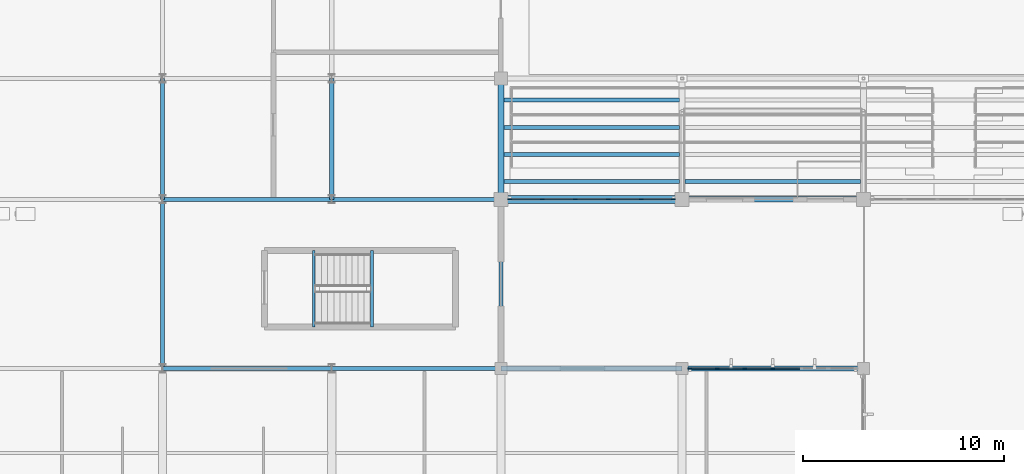
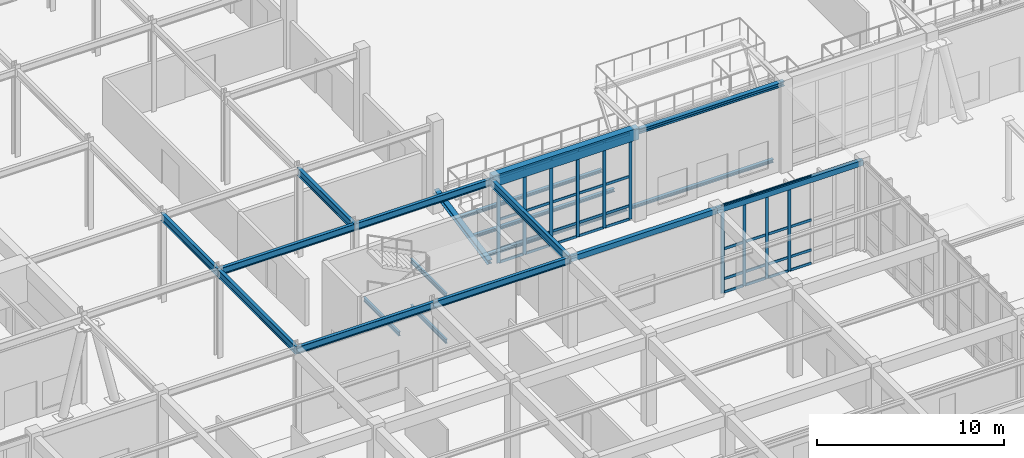
# One storey, part 34 of 110: 46 members, 21 beams, 2 elements without a shape of their own.
"""IFC4 building model written with IfcOpenShell, lengths in metres."""

from ifc_helpers import new_model, si_unit, direction, frame, origin, origin_2d, place, context, subcontext, project, spatial, rectangle, hollow_rectangle, i_section, extrude, material, material_profile, profile_set, type_object, element, aggregate, save


model = new_model("IFC4")

# Units and contexts
model_context = context("Model", 3, precision=1e-05, world=origin(), true_north=direction((0.0, 1.0)))
body_context = subcontext(model_context, "Body", "Model", "MODEL_VIEW")
ifc_project = project(units=[si_unit("LENGTHUNIT", "METRE"), si_unit("AREAUNIT", "SQUARE_METRE"), si_unit("VOLUMEUNIT", "CUBIC_METRE"), si_unit("PLANEANGLEUNIT", "RADIAN"), si_unit("MASSUNIT", "GRAM", prefix="KILO")], contexts=[model_context])

# Site, building, storey
site_placement = place(None, origin())
site = spatial("IfcSite", under=ifc_project, at=site_placement, CompositionType="ELEMENT")
building_placement = place(site_placement, origin())
building = spatial("IfcBuilding", under=site, at=building_placement, Name="Tizgana Railside Sports Hall", CompositionType="ELEMENT")
storey_placement = place(building_placement, origin())
storey = spatial("IfcBuildingStorey", under=building, at=storey_placement, Name="L00", CompositionType="ELEMENT", Elevation=0.0)

# Beam
ifc_material_1 = material(Name="Concrete C35/45", Category="concrete")
ifc_material_profile_1 = material_profile(ifc_material_1, rectangle(XDim=0.39990234375, YDim=0.75, at=origin_2d()), Name="RCB 400x750")
ifc_profile_set_1 = profile_set([ifc_material_profile_1], Name="Concrete C35/45")
beam_type_1 = type_object("IfcBeamType", Name="Concrete Beam RCB 400x750", PredefinedType="BEAM", material=ifc_profile_set_1)
beam_1_placement = place(storey_placement, frame((79.800048828125, 40.800048828125, 5.580078125), z_axis=(1.0, 0.0, 0.0), x_axis=(0.0, 1.0, 0.0)))
element("IfcBeam", 1, at=beam_1_placement, inside=storey, type_object=beam_type_1, Name="L00 V2 Mid-Height Spandrel", PredefinedType="BEAM", context=body_context, shape_type="SweptSolid", body=[
    extrude(rectangle(XDim=0.39990234375, YDim=0.75, at=origin_2d()), origin(), (0.0, 0.0, 1.0), 9.0),
])

# Curtain wall, members
ifc_material_2 = material(Name="Anodised aluminium and glass", Category="aluminium")
curtain_wall_type_1 = type_object("IfcCurtainWallType", Name="Unitised Curtain Wall EastHall 1500", PredefinedType="NOTDEFINED", material=ifc_material_2)
curtain_wall_1_placement = place(storey_placement, origin())
curtain_wall_1 = element("IfcCurtainWall", 2, at=curtain_wall_1_placement, inside=storey, type_object=curtain_wall_type_1, Name="L00 Curtain Wall CW-0015", PredefinedType="NOTDEFINED")
ifc_material_3 = material(Name="Anodised aluminium", Category="aluminium")
ifc_material_profile_2 = material_profile(ifc_material_3, rectangle(XDim=0.06494140625, YDim=0.199951171875, at=origin_2d()), Name="Mullion 65x200")
ifc_profile_set_2 = profile_set([ifc_material_profile_2], Name="Anodised aluminium")
member_type_1 = type_object("IfcMemberType", Name="Mullion 65x200", PredefinedType="MULLION", material=ifc_profile_set_2)
member_1_placement = place(storey_placement, frame((88.362548828125, 40.800048828125, 0.044921875), z_axis=(0.0, 0.0, 1.0), x_axis=(0.0, -1.0, 0.0)))
member_1 = element("IfcMember", 3, at=member_1_placement, type_object=member_type_1, Name="CW-08 mullion 1", PredefinedType="MULLION", context=body_context, shape_type="SweptSolid", body=[
    extrude(rectangle(XDim=0.06494140625, YDim=0.199951171875, at=origin_2d()), origin(), (0.0, 0.0, 1.0), 5.60498046875),
])
member_2_placement = place(storey_placement, frame((86.757080078125, 40.800048828125, 0.044921875), z_axis=(0.0, 0.0, 1.0), x_axis=(0.0, -1.0, 0.0)))
member_2 = element("IfcMember", 4, at=member_2_placement, type_object=member_type_1, Name="CW-08 mullion 2", PredefinedType="MULLION", context=body_context, shape_type="SweptSolid", body=[
    extrude(rectangle(XDim=0.06494140625, YDim=0.199951171875, at=origin_2d()), origin(), (0.0, 0.0, 1.0), 5.60498046875),
])
member_3_placement = place(storey_placement, frame((85.118896484375, 40.800048828125, 0.044921875), z_axis=(0.0, 0.0, 1.0), x_axis=(0.0, -1.0, 0.0)))
member_3 = element("IfcMember", 5, at=member_3_placement, type_object=member_type_1, Name="CW-08 mullion 3", PredefinedType="MULLION", context=body_context, shape_type="SweptSolid", body=[
    extrude(rectangle(XDim=0.06494140625, YDim=0.199951171875, at=origin_2d()), origin(), (0.0, 0.0, 1.0), 5.60498046875),
])
member_4_placement = place(storey_placement, frame((83.48095703125, 40.800048828125, 0.044921875), z_axis=(0.0, 0.0, 1.0), x_axis=(0.0, -1.0, 0.0)))
member_4 = element("IfcMember", 6, at=member_4_placement, type_object=member_type_1, Name="CW-08 mullion 4", PredefinedType="MULLION", context=body_context, shape_type="SweptSolid", body=[
    extrude(rectangle(XDim=0.06494140625, YDim=0.199951171875, at=origin_2d()), origin(), (0.0, 0.0, 1.0), 5.60498046875),
])
member_5_placement = place(storey_placement, frame((81.843017578125, 40.800048828125, 0.044921875), z_axis=(0.0, 0.0, 1.0), x_axis=(0.0, -1.0, 0.0)))
member_5 = element("IfcMember", 7, at=member_5_placement, type_object=member_type_1, Name="CW-08 mullion 5", PredefinedType="MULLION", context=body_context, shape_type="SweptSolid", body=[
    extrude(rectangle(XDim=0.06494140625, YDim=0.199951171875, at=origin_2d()), origin(), (0.0, 0.0, 1.0), 5.60498046875),
])
member_6_placement = place(storey_placement, frame((80.237548828125, 40.800048828125, 0.044921875), z_axis=(0.0, 0.0, 1.0), x_axis=(0.0, -1.0, 0.0)))
member_6 = element("IfcMember", 8, at=member_6_placement, type_object=member_type_1, Name="CW-08 mullion 6", PredefinedType="MULLION", context=body_context, shape_type="SweptSolid", body=[
    extrude(rectangle(XDim=0.06494140625, YDim=0.199951171875, at=origin_2d()), origin(), (0.0, 0.0, 1.0), 5.60498046875),
])

curtain_wall_type_2 = type_object("IfcCurtainWallType", Name="Unitised Curtain Wall Foyer 1300", PredefinedType="NOTDEFINED", material=ifc_material_2)
curtain_wall_2_placement = place(storey_placement, origin())
curtain_wall_2 = element("IfcCurtainWall", 9, at=curtain_wall_2_placement, inside=storey, type_object=curtain_wall_type_2, Name="L00 Curtain Wall CW-0081", PredefinedType="NOTDEFINED")
member_7_placement = place(storey_placement, frame((89.1875, 32.39990234375, 0.044921875), z_axis=(0.0, 0.0, 1.0), x_axis=(0.0, 1.0, 0.0)))
member_7 = element("IfcMember", 10, at=member_7_placement, type_object=member_type_1, Name="CW-02 mullion 1", PredefinedType="MULLION", context=body_context, shape_type="SweptSolid", body=[
    extrude(rectangle(XDim=0.06494140625, YDim=0.199951171875, at=origin_2d()), origin(), (0.0, 0.0, 1.0), 5.705078125),
])
member_8_placement = place(storey_placement, frame((90.53662109375, 32.39990234375, 0.044921875), z_axis=(0.0, 0.0, 1.0), x_axis=(0.0, 1.0, 0.0)))
member_8 = element("IfcMember", 11, at=member_8_placement, type_object=member_type_1, Name="CW-02 mullion 2", PredefinedType="MULLION", context=body_context, shape_type="SweptSolid", body=[
    extrude(rectangle(XDim=0.06494140625, YDim=0.199951171875, at=origin_2d()), origin(), (0.0, 0.0, 1.0), 5.705078125),
])
member_9_placement = place(storey_placement, frame((91.918212890625, 32.39990234375, 0.044921875), z_axis=(0.0, 0.0, 1.0), x_axis=(0.0, 1.0, 0.0)))
member_9 = element("IfcMember", 12, at=member_9_placement, type_object=member_type_1, Name="CW-02 mullion 3", PredefinedType="MULLION", context=body_context, shape_type="SweptSolid", body=[
    extrude(rectangle(XDim=0.06494140625, YDim=0.199951171875, at=origin_2d()), origin(), (0.0, 0.0, 1.0), 5.705078125),
])
member_10_placement = place(storey_placement, frame((93.300048828125, 32.39990234375, 0.044921875), z_axis=(0.0, 0.0, 1.0), x_axis=(0.0, 1.0, 0.0)))
member_10 = element("IfcMember", 13, at=member_10_placement, type_object=member_type_1, Name="CW-02 mullion 4", PredefinedType="MULLION", context=body_context, shape_type="SweptSolid", body=[
    extrude(rectangle(XDim=0.06494140625, YDim=0.199951171875, at=origin_2d()), origin(), (0.0, 0.0, 1.0), 5.705078125),
])

# Beams
ifc_material_4 = material(Name="Steel S355J2", Category="steel")
ifc_material_profile_3 = material_profile(ifc_material_4, i_section(OverallWidth=0.1298828125, OverallDepth=0.27001953125, WebThickness=0.006591796875, FlangeThickness=0.01025390625, FilletRadius=0.014892578125, at=origin_2d()), Name="IPE 270")
ifc_profile_set_3 = profile_set([ifc_material_profile_3], Name="Steel S355J2")
beam_type_2 = type_object("IfcBeamType", Name="Stair Mid-Landing Header IPE 270", PredefinedType="JOIST", material=ifc_profile_set_3)
for number, where, z_axis, x_axis, name in (
    (14, (73.39990234375, 34.449951171875, 1.1630859375), (0.0, 1.0, 0.0), (-1.0, 0.0, 0.0), "L00 C10 Mid Header 1"),
    (15, (70.5, 34.449951171875, 2.6630859375), (0.0, 1.0, 0.0), (-1.0, 0.0, 0.0), "L00 C10 Mid Header 2"),
    (16, (73.39990234375, 34.449951171875, 4.1630859375), (0.0, 1.0, 0.0), (-1.0, 0.0, 0.0), "L00 C10 Mid Header 3"),
):
    element("IfcBeam", number, at=place(storey_placement, frame(where, z_axis=z_axis, x_axis=x_axis)), inside=storey, type_object=beam_type_2, Name=name, PredefinedType="JOIST", context=body_context, shape_type="SweptSolid", body=[
        extrude(i_section(OverallWidth=0.1298828125, OverallDepth=0.27001953125, WebThickness=0.006591796875, FlangeThickness=0.01025390625, FilletRadius=0.014892578125, at=origin_2d()), origin(), (0.0, 0.0, 1.0), 3.800048828125),
    ])
ifc_material_profile_4 = material_profile(ifc_material_4, i_section(OverallWidth=0.199951171875, OverallDepth=0.199951171875, WebThickness=0.009033203125, FlangeThickness=0.014892578125, FilletRadius=0.01806640625, at=origin_2d()), Name="HEB 200")
ifc_profile_set_4 = profile_set([ifc_material_profile_4], Name="Steel S355J2")
beam_type_3 = type_object("IfcBeamType", Name="Steel Beam HEB 200", PredefinedType="BEAM", material=ifc_profile_set_4)
for number, where, z_axis, x_axis, name in (
    (17, (79.945068359375, 41.675048828125, 0.10498046875), (1.0, 0.0, 0.0), (0.0, 1.0, 0.0), "L00 Stand Stringer BEM-0045"),
    (18, (88.945068359375, 41.675048828125, 0.10498046875), (1.0, 0.0, 0.0), (0.0, 1.0, 0.0), "L00 Stand Stringer BEM-0046"),
    (19, (79.945068359375, 43.02490234375, 0.52490234375), (1.0, 0.0, 0.0), (0.0, 1.0, 0.0), "L00 Stand Stringer BEM-0050"),
    (20, (79.945068359375, 44.375, 0.965087890625), (1.0, 0.0, 0.0), (0.0, 1.0, 0.0), "L00 Stand Stringer BEM-0055"),
    (21, (79.945068359375, 45.72509765625, 1.385009765625), (1.0, 0.0, 0.0), (0.0, 1.0, 0.0), "L00 Stand Stringer BEM-0060"),
):
    element("IfcBeam", number, at=place(storey_placement, frame(where, z_axis=z_axis, x_axis=x_axis)), inside=storey, type_object=beam_type_3, Name=name, PredefinedType="BEAM", context=body_context, shape_type="SweptSolid", body=[
        extrude(i_section(OverallWidth=0.199951171875, OverallDepth=0.199951171875, WebThickness=0.009033203125, FlangeThickness=0.014892578125, FilletRadius=0.01806640625, at=origin_2d()), origin(), (0.0, 0.0, 1.0), 8.7099609375),
    ])
ifc_material_profile_5 = material_profile(ifc_material_4, i_section(OverallWidth=0.280029296875, OverallDepth=0.280029296875, WebThickness=0.010498046875, FlangeThickness=0.01806640625, FilletRadius=0.02392578125, at=origin_2d()), Name="HEB 280")
ifc_profile_set_5 = profile_set([ifc_material_profile_5], Name="Steel S355J2")
beam_type_4 = type_object("IfcBeamType", Name="Steel Beam HEB 280", PredefinedType="BEAM", material=ifc_profile_set_5)
beam_2_placement = place(storey_placement, frame((88.800048828125, 40.800048828125, 5.6298828125), z_axis=(1.0, 0.0, 0.0), x_axis=(0.0, 1.0, 0.0)))
element("IfcBeam", 22, at=beam_2_placement, inside=storey, type_object=beam_type_4, Name="L00 BEM-1261", PredefinedType="BEAM", context=body_context, shape_type="SweptSolid", body=[
    extrude(i_section(OverallWidth=0.280029296875, OverallDepth=0.280029296875, WebThickness=0.010498046875, FlangeThickness=0.01806640625, FilletRadius=0.02392578125, at=origin_2d()), origin(), (0.0, 0.0, 1.0), 9.0),
])
ifc_material_profile_6 = material_profile(ifc_material_4, i_section(OverallWidth=0.300048828125, OverallDepth=0.300048828125, WebThickness=0.010986328125, FlangeThickness=0.01904296875, FilletRadius=0.027099609375, at=origin_2d()), Name="HEB 300")
ifc_profile_set_6 = profile_set([ifc_material_profile_6], Name="Steel S355J2")
beam_type_5 = type_object("IfcBeamType", Name="Steel Beam HEB 300", PredefinedType="BEAM", material=ifc_profile_set_6)
beam_3_placement = place(storey_placement, frame((79.800048828125, 40.949951171875, 0.14990234375), z_axis=(0.0, 0.979812896837, 0.199916700632), x_axis=(-1.0, 0.0, 0.0)))
element("IfcBeam", 23, at=beam_3_placement, inside=storey, type_object=beam_type_5, Name="L00 Stand Main Raker BEM-0039", PredefinedType="BEAM", context=body_context, shape_type="SweptSolid", body=[
    extrude(i_section(OverallWidth=0.300048828125, OverallDepth=0.300048828125, WebThickness=0.010986328125, FlangeThickness=0.01904296875, FilletRadius=0.027099609375, at=origin_2d()), origin(), (0.0, 0.0, 1.0), 5.853271484375),
])
ifc_material_profile_7 = material_profile(ifc_material_4, i_section(OverallWidth=0.18994140625, OverallDepth=0.449951171875, WebThickness=0.009521484375, FlangeThickness=0.0146484375, FilletRadius=0.02099609375, at=origin_2d()), Name="IPE 450")
ifc_profile_set_7 = profile_set([ifc_material_profile_7], Name="Steel S355J2")
beam_type_6 = type_object("IfcBeamType", Name="Steel Beam IPE 450", PredefinedType="BEAM", material=ifc_profile_set_7)
for number, where, z_axis, x_axis, name in (
    (24, (63.0, 32.39990234375, 5.5009765625), (1.0, 0.0, 0.0), (0.0, 1.0, 0.0), "L00 BEM-0935"),
    (25, (63.0, 40.800048828125, 5.5009765625), (1.0, 0.0, 0.0), (0.0, 1.0, 0.0), "L00 BEM-0936"),
):
    element("IfcBeam", number, at=place(storey_placement, frame(where, z_axis=z_axis, x_axis=x_axis)), inside=storey, type_object=beam_type_6, Name=name, PredefinedType="BEAM", context=body_context, shape_type="SweptSolid", body=[
        extrude(i_section(OverallWidth=0.18994140625, OverallDepth=0.449951171875, WebThickness=0.009521484375, FlangeThickness=0.0146484375, FilletRadius=0.02099609375, at=origin_2d()), origin(), (0.0, 0.0, 1.0), 8.39990234375),
    ])
for number, where, z_axis, x_axis, name in (
    (26, (71.39990234375, 32.39990234375, 5.5009765625), (1.0, 0.0, 0.0), (0.0, 1.0, 0.0), "L00 BEM-0943"),
    (27, (71.39990234375, 40.800048828125, 5.5009765625), (1.0, 0.0, 0.0), (0.0, 1.0, 0.0), "L00 BEM-0944"),
):
    element("IfcBeam", number, at=place(storey_placement, frame(where, z_axis=z_axis, x_axis=x_axis)), inside=storey, type_object=beam_type_6, Name=name, PredefinedType="BEAM", context=body_context, shape_type="SweptSolid", body=[
        extrude(i_section(OverallWidth=0.18994140625, OverallDepth=0.449951171875, WebThickness=0.009521484375, FlangeThickness=0.0146484375, FilletRadius=0.02099609375, at=origin_2d()), origin(), (0.0, 0.0, 1.0), 8.400146484375),
    ])
ifc_material_profile_8 = material_profile(ifc_material_4, i_section(OverallWidth=0.199951171875, OverallDepth=0.5, WebThickness=0.01025390625, FlangeThickness=0.01611328125, FilletRadius=0.02099609375, at=origin_2d()), Name="IPE 500")
ifc_profile_set_8 = profile_set([ifc_material_profile_8], Name="Steel S355J2")
beam_type_7 = type_object("IfcBeamType", Name="Steel Beam IPE 500", PredefinedType="BEAM", material=ifc_profile_set_8)
beam_4_placement = place(storey_placement, frame((63.0, 32.39990234375, 5.47607421875), z_axis=(0.0, 1.0, 0.0), x_axis=(-1.0, 0.0, 0.0)))
element("IfcBeam", 28, at=beam_4_placement, inside=storey, type_object=beam_type_7, Name="L00 BEM-0911", PredefinedType="BEAM", context=body_context, shape_type="SweptSolid", body=[
    extrude(i_section(OverallWidth=0.199951171875, OverallDepth=0.5, WebThickness=0.01025390625, FlangeThickness=0.01611328125, FilletRadius=0.02099609375, at=origin_2d()), origin(), (0.0, 0.0, 1.0), 8.400146484375),
])
for number, where, z_axis, x_axis, name in (
    (29, (63.0, 40.800048828125, 5.47607421875), (0.0, 1.0, 0.0), (-1.0, 0.0, 0.0), "L00 BEM-0912"),
    (30, (71.39990234375, 40.800048828125, 5.47607421875), (0.0, 1.0, 0.0), (-1.0, 0.0, 0.0), "L00 BEM-0918"),
):
    element("IfcBeam", number, at=place(storey_placement, frame(where, z_axis=z_axis, x_axis=x_axis)), inside=storey, type_object=beam_type_7, Name=name, PredefinedType="BEAM", context=body_context, shape_type="SweptSolid", body=[
        extrude(i_section(OverallWidth=0.199951171875, OverallDepth=0.5, WebThickness=0.01025390625, FlangeThickness=0.01611328125, FilletRadius=0.02099609375, at=origin_2d()), origin(), (0.0, 0.0, 1.0), 6.0),
    ])
beam_5_placement = place(storey_placement, frame((79.800048828125, 32.39990234375, 5.47607421875), z_axis=(0.0, 1.0, 0.0), x_axis=(-1.0, 0.0, 0.0)))
element("IfcBeam", 31, at=beam_5_placement, inside=storey, type_object=beam_type_7, Name="L00 BEM-0925", PredefinedType="BEAM", context=body_context, shape_type="SweptSolid", body=[
    extrude(i_section(OverallWidth=0.199951171875, OverallDepth=0.5, WebThickness=0.01025390625, FlangeThickness=0.01611328125, FilletRadius=0.02099609375, at=origin_2d()), origin(), (0.0, 0.0, 1.0), 8.400146484375),
])
ifc_material_profile_9 = material_profile(ifc_material_4, hollow_rectangle(XDim=0.25, YDim=0.35009765625, WallThickness=0.011962890625, at=origin_2d()), Name="RHS 350x250x12")
ifc_profile_set_9 = profile_set([ifc_material_profile_9], Name="Steel S355J2")
beam_type_8 = type_object("IfcBeamType", Name="Steel Spandrel RHS 350x250x12", PredefinedType="SPANDREL", material=ifc_profile_set_9)
for number, where, z_axis, x_axis, name in (
    (32, (79.800048828125, 32.39990234375, 5.571044921875), (1.0, 0.0, 0.0), (0.0, 1.0, 0.0), "L00 BEM-0451"),
    (33, (88.800048828125, 32.39990234375, 5.571044921875), (1.0, 0.0, 0.0), (0.0, 1.0, 0.0), "L00 BEM-0460"),
):
    element("IfcBeam", number, at=place(storey_placement, frame(where, z_axis=z_axis, x_axis=x_axis)), inside=storey, type_object=beam_type_8, Name=name, PredefinedType="SPANDREL", context=body_context, shape_type="SweptSolid", body=[
        extrude(hollow_rectangle(XDim=0.25, YDim=0.35009765625, WallThickness=0.011962890625, at=origin_2d()), origin(), (0.0, 0.0, 1.0), 9.0),
    ])

# Member
ifc_material_profile_10 = material_profile(ifc_material_3, rectangle(XDim=0.06494140625, YDim=0.169921875, at=origin_2d()), Name="Transom 65x170")
ifc_profile_set_10 = profile_set([ifc_material_profile_10], Name="Anodised aluminium")
member_type_2 = type_object("IfcMemberType", Name="Transom 65x170", PredefinedType="USERDEFINED", material=ifc_profile_set_10)
member_11_placement = place(storey_placement, frame((88.330078125, 40.800048828125, 0.077392578125), z_axis=(-1.0, 0.0, 0.0), x_axis=(0.0, -1.0, 0.0)))
member_11 = element("IfcMember", 34, at=member_11_placement, type_object=member_type_2, Name="CW-08 transom 1.1", ObjectType="TRANSOM", PredefinedType="USERDEFINED", context=body_context, shape_type="SweptSolid", body=[
    extrude(rectangle(XDim=0.06494140625, YDim=0.169921875, at=origin_2d()), origin(), (0.0, 0.0, 1.0), 1.54052734375),
])

member_12_placement = place(storey_placement, frame((88.330078125, 40.800048828125, 0.945068359375), z_axis=(-1.0, 0.0, 0.0), x_axis=(0.0, -1.0, 0.0)))
member_12 = element("IfcMember", 35, at=member_12_placement, type_object=member_type_2, Name="CW-08 transom 1.2", ObjectType="TRANSOM", PredefinedType="USERDEFINED", context=body_context, shape_type="SweptSolid", body=[
    extrude(rectangle(XDim=0.06494140625, YDim=0.169921875, at=origin_2d()), origin(), (0.0, 0.0, 1.0), 1.54052734375),
])

member_13_placement = place(storey_placement, frame((88.330078125, 40.800048828125, 2.847412109375), z_axis=(-1.0, 0.0, 0.0), x_axis=(0.0, -1.0, 0.0)))
member_13 = element("IfcMember", 36, at=member_13_placement, type_object=member_type_2, Name="CW-08 transom 1.3", ObjectType="TRANSOM", PredefinedType="USERDEFINED", context=body_context, shape_type="SweptSolid", body=[
    extrude(rectangle(XDim=0.06494140625, YDim=0.169921875, at=origin_2d()), origin(), (0.0, 0.0, 1.0), 1.54052734375),
])

member_14_placement = place(storey_placement, frame((88.330078125, 40.800048828125, 5.617431640625), z_axis=(-1.0, 0.0, 0.0), x_axis=(0.0, -1.0, 0.0)))
member_14 = element("IfcMember", 37, at=member_14_placement, type_object=member_type_2, Name="CW-08 transom 1.4", ObjectType="TRANSOM", PredefinedType="USERDEFINED", context=body_context, shape_type="SweptSolid", body=[
    extrude(rectangle(XDim=0.06494140625, YDim=0.169921875, at=origin_2d()), origin(), (0.0, 0.0, 1.0), 1.54052734375),
])

member_15_placement = place(storey_placement, frame((86.724609375, 40.800048828125, 0.077392578125), z_axis=(-1.0, 0.0, 0.0), x_axis=(0.0, -1.0, 0.0)))
member_15 = element("IfcMember", 38, at=member_15_placement, type_object=member_type_2, Name="CW-08 transom 2.1", ObjectType="TRANSOM", PredefinedType="USERDEFINED", context=body_context, shape_type="SweptSolid", body=[
    extrude(rectangle(XDim=0.06494140625, YDim=0.169921875, at=origin_2d()), origin(), (0.0, 0.0, 1.0), 1.572998046875),
])

member_16_placement = place(storey_placement, frame((86.724609375, 40.800048828125, 0.945068359375), z_axis=(-1.0, 0.0, 0.0), x_axis=(0.0, -1.0, 0.0)))
member_16 = element("IfcMember", 39, at=member_16_placement, type_object=member_type_2, Name="CW-08 transom 2.2", ObjectType="TRANSOM", PredefinedType="USERDEFINED", context=body_context, shape_type="SweptSolid", body=[
    extrude(rectangle(XDim=0.06494140625, YDim=0.169921875, at=origin_2d()), origin(), (0.0, 0.0, 1.0), 1.572998046875),
])

member_17_placement = place(storey_placement, frame((86.724609375, 40.800048828125, 2.847412109375), z_axis=(-1.0, 0.0, 0.0), x_axis=(0.0, -1.0, 0.0)))
member_17 = element("IfcMember", 40, at=member_17_placement, type_object=member_type_2, Name="CW-08 transom 2.3", ObjectType="TRANSOM", PredefinedType="USERDEFINED", context=body_context, shape_type="SweptSolid", body=[
    extrude(rectangle(XDim=0.06494140625, YDim=0.169921875, at=origin_2d()), origin(), (0.0, 0.0, 1.0), 1.572998046875),
])

member_18_placement = place(storey_placement, frame((86.724609375, 40.800048828125, 5.617431640625), z_axis=(-1.0, 0.0, 0.0), x_axis=(0.0, -1.0, 0.0)))
member_18 = element("IfcMember", 41, at=member_18_placement, type_object=member_type_2, Name="CW-08 transom 2.4", ObjectType="TRANSOM", PredefinedType="USERDEFINED", context=body_context, shape_type="SweptSolid", body=[
    extrude(rectangle(XDim=0.06494140625, YDim=0.169921875, at=origin_2d()), origin(), (0.0, 0.0, 1.0), 1.572998046875),
])

member_19_placement = place(storey_placement, frame((85.08642578125, 40.800048828125, 0.077392578125), z_axis=(-1.0, 0.0, 0.0), x_axis=(0.0, -1.0, 0.0)))
member_19 = element("IfcMember", 42, at=member_19_placement, type_object=member_type_2, Name="CW-08 transom 3.1", ObjectType="TRANSOM", PredefinedType="USERDEFINED", context=body_context, shape_type="SweptSolid", body=[
    extrude(rectangle(XDim=0.06494140625, YDim=0.169921875, at=origin_2d()), origin(), (0.0, 0.0, 1.0), 1.572998046875),
])

member_20_placement = place(storey_placement, frame((85.08642578125, 40.800048828125, 0.945068359375), z_axis=(-1.0, 0.0, 0.0), x_axis=(0.0, -1.0, 0.0)))
member_20 = element("IfcMember", 43, at=member_20_placement, type_object=member_type_2, Name="CW-08 transom 3.2", ObjectType="TRANSOM", PredefinedType="USERDEFINED", context=body_context, shape_type="SweptSolid", body=[
    extrude(rectangle(XDim=0.06494140625, YDim=0.169921875, at=origin_2d()), origin(), (0.0, 0.0, 1.0), 1.572998046875),
])

member_21_placement = place(storey_placement, frame((85.08642578125, 40.800048828125, 2.847412109375), z_axis=(-1.0, 0.0, 0.0), x_axis=(0.0, -1.0, 0.0)))
member_21 = element("IfcMember", 44, at=member_21_placement, type_object=member_type_2, Name="CW-08 transom 3.3", ObjectType="TRANSOM", PredefinedType="USERDEFINED", context=body_context, shape_type="SweptSolid", body=[
    extrude(rectangle(XDim=0.06494140625, YDim=0.169921875, at=origin_2d()), origin(), (0.0, 0.0, 1.0), 1.572998046875),
])

member_22_placement = place(storey_placement, frame((85.08642578125, 40.800048828125, 5.617431640625), z_axis=(-1.0, 0.0, 0.0), x_axis=(0.0, -1.0, 0.0)))
member_22 = element("IfcMember", 45, at=member_22_placement, type_object=member_type_2, Name="CW-08 transom 3.4", ObjectType="TRANSOM", PredefinedType="USERDEFINED", context=body_context, shape_type="SweptSolid", body=[
    extrude(rectangle(XDim=0.06494140625, YDim=0.169921875, at=origin_2d()), origin(), (0.0, 0.0, 1.0), 1.572998046875),
])

member_23_placement = place(storey_placement, frame((83.448486328125, 40.800048828125, 0.077392578125), z_axis=(-1.0, 0.0, 0.0), x_axis=(0.0, -1.0, 0.0)))
member_23 = element("IfcMember", 46, at=member_23_placement, type_object=member_type_2, Name="CW-08 transom 4.1", ObjectType="TRANSOM", PredefinedType="USERDEFINED", context=body_context, shape_type="SweptSolid", body=[
    extrude(rectangle(XDim=0.06494140625, YDim=0.169921875, at=origin_2d()), origin(), (0.0, 0.0, 1.0), 1.572998046875),
])

member_24_placement = place(storey_placement, frame((83.448486328125, 40.800048828125, 0.945068359375), z_axis=(-1.0, 0.0, 0.0), x_axis=(0.0, -1.0, 0.0)))
member_24 = element("IfcMember", 47, at=member_24_placement, type_object=member_type_2, Name="CW-08 transom 4.2", ObjectType="TRANSOM", PredefinedType="USERDEFINED", context=body_context, shape_type="SweptSolid", body=[
    extrude(rectangle(XDim=0.06494140625, YDim=0.169921875, at=origin_2d()), origin(), (0.0, 0.0, 1.0), 1.572998046875),
])

member_25_placement = place(storey_placement, frame((83.448486328125, 40.800048828125, 2.847412109375), z_axis=(-1.0, 0.0, 0.0), x_axis=(0.0, -1.0, 0.0)))
member_25 = element("IfcMember", 48, at=member_25_placement, type_object=member_type_2, Name="CW-08 transom 4.3", ObjectType="TRANSOM", PredefinedType="USERDEFINED", context=body_context, shape_type="SweptSolid", body=[
    extrude(rectangle(XDim=0.06494140625, YDim=0.169921875, at=origin_2d()), origin(), (0.0, 0.0, 1.0), 1.572998046875),
])

member_26_placement = place(storey_placement, frame((83.448486328125, 40.800048828125, 5.617431640625), z_axis=(-1.0, 0.0, 0.0), x_axis=(0.0, -1.0, 0.0)))
member_26 = element("IfcMember", 49, at=member_26_placement, type_object=member_type_2, Name="CW-08 transom 4.4", ObjectType="TRANSOM", PredefinedType="USERDEFINED", context=body_context, shape_type="SweptSolid", body=[
    extrude(rectangle(XDim=0.06494140625, YDim=0.169921875, at=origin_2d()), origin(), (0.0, 0.0, 1.0), 1.572998046875),
])

member_27_placement = place(storey_placement, frame((81.810546875, 40.800048828125, 0.077392578125), z_axis=(-1.0, 0.0, 0.0), x_axis=(0.0, -1.0, 0.0)))
member_27 = element("IfcMember", 50, at=member_27_placement, type_object=member_type_2, Name="CW-08 transom 5.1", ObjectType="TRANSOM", PredefinedType="USERDEFINED", context=body_context, shape_type="SweptSolid", body=[
    extrude(rectangle(XDim=0.06494140625, YDim=0.169921875, at=origin_2d()), origin(), (0.0, 0.0, 1.0), 1.54052734375),
])

member_28_placement = place(storey_placement, frame((81.810546875, 40.800048828125, 0.945068359375), z_axis=(-1.0, 0.0, 0.0), x_axis=(0.0, -1.0, 0.0)))
member_28 = element("IfcMember", 51, at=member_28_placement, type_object=member_type_2, Name="CW-08 transom 5.2", ObjectType="TRANSOM", PredefinedType="USERDEFINED", context=body_context, shape_type="SweptSolid", body=[
    extrude(rectangle(XDim=0.06494140625, YDim=0.169921875, at=origin_2d()), origin(), (0.0, 0.0, 1.0), 1.54052734375),
])

member_29_placement = place(storey_placement, frame((81.810546875, 40.800048828125, 2.847412109375), z_axis=(-1.0, 0.0, 0.0), x_axis=(0.0, -1.0, 0.0)))
member_29 = element("IfcMember", 52, at=member_29_placement, type_object=member_type_2, Name="CW-08 transom 5.3", ObjectType="TRANSOM", PredefinedType="USERDEFINED", context=body_context, shape_type="SweptSolid", body=[
    extrude(rectangle(XDim=0.06494140625, YDim=0.169921875, at=origin_2d()), origin(), (0.0, 0.0, 1.0), 1.54052734375),
])

member_30_placement = place(storey_placement, frame((81.810546875, 40.800048828125, 5.617431640625), z_axis=(-1.0, 0.0, 0.0), x_axis=(0.0, -1.0, 0.0)))
member_30 = element("IfcMember", 53, at=member_30_placement, type_object=member_type_2, Name="CW-08 transom 5.4", ObjectType="TRANSOM", PredefinedType="USERDEFINED", context=body_context, shape_type="SweptSolid", body=[
    extrude(rectangle(XDim=0.06494140625, YDim=0.169921875, at=origin_2d()), origin(), (0.0, 0.0, 1.0), 1.54052734375),
])

aggregate(curtain_wall_1, [member_1, member_2, member_3, member_4, member_5, member_6, member_11, member_12, member_13, member_14, member_15, member_16, member_17, member_18, member_19, member_20, member_21, member_22, member_23, member_24, member_25, member_26, member_27, member_28, member_29, member_30])

member_31_placement = place(storey_placement, frame((89.219970703125, 32.39990234375, 0.077392578125), z_axis=(1.0, 0.0, 0.0), x_axis=(0.0, 1.0, 0.0)))
member_31 = element("IfcMember", 54, at=member_31_placement, type_object=member_type_2, Name="CW-02 transom 1.1", ObjectType="TRANSOM", PredefinedType="USERDEFINED", context=body_context, shape_type="SweptSolid", body=[
    extrude(rectangle(XDim=0.06494140625, YDim=0.169921875, at=origin_2d()), origin(), (0.0, 0.0, 1.0), 1.2841796875),
])

member_32_placement = place(storey_placement, frame((89.219970703125, 32.39990234375, 0.945068359375), z_axis=(1.0, 0.0, 0.0), x_axis=(0.0, 1.0, 0.0)))
member_32 = element("IfcMember", 55, at=member_32_placement, type_object=member_type_2, Name="CW-02 transom 1.2", ObjectType="TRANSOM", PredefinedType="USERDEFINED", context=body_context, shape_type="SweptSolid", body=[
    extrude(rectangle(XDim=0.06494140625, YDim=0.169921875, at=origin_2d()), origin(), (0.0, 0.0, 1.0), 1.2841796875),
])

member_33_placement = place(storey_placement, frame((89.219970703125, 32.39990234375, 2.8974609375), z_axis=(1.0, 0.0, 0.0), x_axis=(0.0, 1.0, 0.0)))
member_33 = element("IfcMember", 56, at=member_33_placement, type_object=member_type_2, Name="CW-02 transom 1.3", ObjectType="TRANSOM", PredefinedType="USERDEFINED", context=body_context, shape_type="SweptSolid", body=[
    extrude(rectangle(XDim=0.06494140625, YDim=0.169921875, at=origin_2d()), origin(), (0.0, 0.0, 1.0), 1.2841796875),
])

member_34_placement = place(storey_placement, frame((89.219970703125, 32.39990234375, 5.717529296875), z_axis=(1.0, 0.0, 0.0), x_axis=(0.0, 1.0, 0.0)))
member_34 = element("IfcMember", 57, at=member_34_placement, type_object=member_type_2, Name="CW-02 transom 1.4", ObjectType="TRANSOM", PredefinedType="USERDEFINED", context=body_context, shape_type="SweptSolid", body=[
    extrude(rectangle(XDim=0.06494140625, YDim=0.169921875, at=origin_2d()), origin(), (0.0, 0.0, 1.0), 1.2841796875),
])

member_35_placement = place(storey_placement, frame((90.569091796875, 32.39990234375, 0.077392578125), z_axis=(1.0, 0.0, 0.0), x_axis=(0.0, 1.0, 0.0)))
member_35 = element("IfcMember", 58, at=member_35_placement, type_object=member_type_2, Name="CW-02 transom 2.1", ObjectType="TRANSOM", PredefinedType="USERDEFINED", context=body_context, shape_type="SweptSolid", body=[
    extrude(rectangle(XDim=0.06494140625, YDim=0.169921875, at=origin_2d()), origin(), (0.0, 0.0, 1.0), 1.316650390625),
])

member_36_placement = place(storey_placement, frame((90.569091796875, 32.39990234375, 0.945068359375), z_axis=(1.0, 0.0, 0.0), x_axis=(0.0, 1.0, 0.0)))
member_36 = element("IfcMember", 59, at=member_36_placement, type_object=member_type_2, Name="CW-02 transom 2.2", ObjectType="TRANSOM", PredefinedType="USERDEFINED", context=body_context, shape_type="SweptSolid", body=[
    extrude(rectangle(XDim=0.06494140625, YDim=0.169921875, at=origin_2d()), origin(), (0.0, 0.0, 1.0), 1.316650390625),
])

member_37_placement = place(storey_placement, frame((90.569091796875, 32.39990234375, 2.8974609375), z_axis=(1.0, 0.0, 0.0), x_axis=(0.0, 1.0, 0.0)))
member_37 = element("IfcMember", 60, at=member_37_placement, type_object=member_type_2, Name="CW-02 transom 2.3", ObjectType="TRANSOM", PredefinedType="USERDEFINED", context=body_context, shape_type="SweptSolid", body=[
    extrude(rectangle(XDim=0.06494140625, YDim=0.169921875, at=origin_2d()), origin(), (0.0, 0.0, 1.0), 1.316650390625),
])

member_38_placement = place(storey_placement, frame((90.569091796875, 32.39990234375, 5.717529296875), z_axis=(1.0, 0.0, 0.0), x_axis=(0.0, 1.0, 0.0)))
member_38 = element("IfcMember", 61, at=member_38_placement, type_object=member_type_2, Name="CW-02 transom 2.4", ObjectType="TRANSOM", PredefinedType="USERDEFINED", context=body_context, shape_type="SweptSolid", body=[
    extrude(rectangle(XDim=0.06494140625, YDim=0.169921875, at=origin_2d()), origin(), (0.0, 0.0, 1.0), 1.316650390625),
])

member_39_placement = place(storey_placement, frame((91.950927734375, 32.39990234375, 0.077392578125), z_axis=(1.0, 0.0, 0.0), x_axis=(0.0, 1.0, 0.0)))
member_39 = element("IfcMember", 62, at=member_39_placement, type_object=member_type_2, Name="CW-02 transom 3.1", ObjectType="TRANSOM", PredefinedType="USERDEFINED", context=body_context, shape_type="SweptSolid", body=[
    extrude(rectangle(XDim=0.06494140625, YDim=0.169921875, at=origin_2d()), origin(), (0.0, 0.0, 1.0), 1.316650390625),
])

member_40_placement = place(storey_placement, frame((91.950927734375, 32.39990234375, 0.945068359375), z_axis=(1.0, 0.0, 0.0), x_axis=(0.0, 1.0, 0.0)))
member_40 = element("IfcMember", 63, at=member_40_placement, type_object=member_type_2, Name="CW-02 transom 3.2", ObjectType="TRANSOM", PredefinedType="USERDEFINED", context=body_context, shape_type="SweptSolid", body=[
    extrude(rectangle(XDim=0.06494140625, YDim=0.169921875, at=origin_2d()), origin(), (0.0, 0.0, 1.0), 1.316650390625),
])

member_41_placement = place(storey_placement, frame((91.950927734375, 32.39990234375, 2.8974609375), z_axis=(1.0, 0.0, 0.0), x_axis=(0.0, 1.0, 0.0)))
member_41 = element("IfcMember", 64, at=member_41_placement, type_object=member_type_2, Name="CW-02 transom 3.3", ObjectType="TRANSOM", PredefinedType="USERDEFINED", context=body_context, shape_type="SweptSolid", body=[
    extrude(rectangle(XDim=0.06494140625, YDim=0.169921875, at=origin_2d()), origin(), (0.0, 0.0, 1.0), 1.316650390625),
])

member_42_placement = place(storey_placement, frame((91.950927734375, 32.39990234375, 5.717529296875), z_axis=(1.0, 0.0, 0.0), x_axis=(0.0, 1.0, 0.0)))
member_42 = element("IfcMember", 65, at=member_42_placement, type_object=member_type_2, Name="CW-02 transom 3.4", ObjectType="TRANSOM", PredefinedType="USERDEFINED", context=body_context, shape_type="SweptSolid", body=[
    extrude(rectangle(XDim=0.06494140625, YDim=0.169921875, at=origin_2d()), origin(), (0.0, 0.0, 1.0), 1.316650390625),
])

member_43_placement = place(storey_placement, frame((93.33251953125, 32.39990234375, 0.077392578125), z_axis=(1.0, 0.0, 0.0), x_axis=(0.0, 1.0, 0.0)))
member_43 = element("IfcMember", 66, at=member_43_placement, type_object=member_type_2, Name="CW-02 transom 4.1", ObjectType="TRANSOM", PredefinedType="USERDEFINED", context=body_context, shape_type="SweptSolid", body=[
    extrude(rectangle(XDim=0.06494140625, YDim=0.169921875, at=origin_2d()), origin(), (0.0, 0.0, 1.0), 1.316650390625),
])

member_44_placement = place(storey_placement, frame((93.33251953125, 32.39990234375, 0.945068359375), z_axis=(1.0, 0.0, 0.0), x_axis=(0.0, 1.0, 0.0)))
member_44 = element("IfcMember", 67, at=member_44_placement, type_object=member_type_2, Name="CW-02 transom 4.2", ObjectType="TRANSOM", PredefinedType="USERDEFINED", context=body_context, shape_type="SweptSolid", body=[
    extrude(rectangle(XDim=0.06494140625, YDim=0.169921875, at=origin_2d()), origin(), (0.0, 0.0, 1.0), 1.316650390625),
])

member_45_placement = place(storey_placement, frame((93.33251953125, 32.39990234375, 2.8974609375), z_axis=(1.0, 0.0, 0.0), x_axis=(0.0, 1.0, 0.0)))
member_45 = element("IfcMember", 68, at=member_45_placement, type_object=member_type_2, Name="CW-02 transom 4.3", ObjectType="TRANSOM", PredefinedType="USERDEFINED", context=body_context, shape_type="SweptSolid", body=[
    extrude(rectangle(XDim=0.06494140625, YDim=0.169921875, at=origin_2d()), origin(), (0.0, 0.0, 1.0), 1.316650390625),
])

member_46_placement = place(storey_placement, frame((93.33251953125, 32.39990234375, 5.717529296875), z_axis=(1.0, 0.0, 0.0), x_axis=(0.0, 1.0, 0.0)))
member_46 = element("IfcMember", 69, at=member_46_placement, type_object=member_type_2, Name="CW-02 transom 4.4", ObjectType="TRANSOM", PredefinedType="USERDEFINED", context=body_context, shape_type="SweptSolid", body=[
    extrude(rectangle(XDim=0.06494140625, YDim=0.169921875, at=origin_2d()), origin(), (0.0, 0.0, 1.0), 1.316650390625),
])

aggregate(curtain_wall_2, [member_7, member_8, member_9, member_10, member_31, member_32, member_33, member_34, member_35, member_36, member_37, member_38, member_39, member_40, member_41, member_42, member_43, member_44, member_45, member_46])

save(model, "model.ifc")
